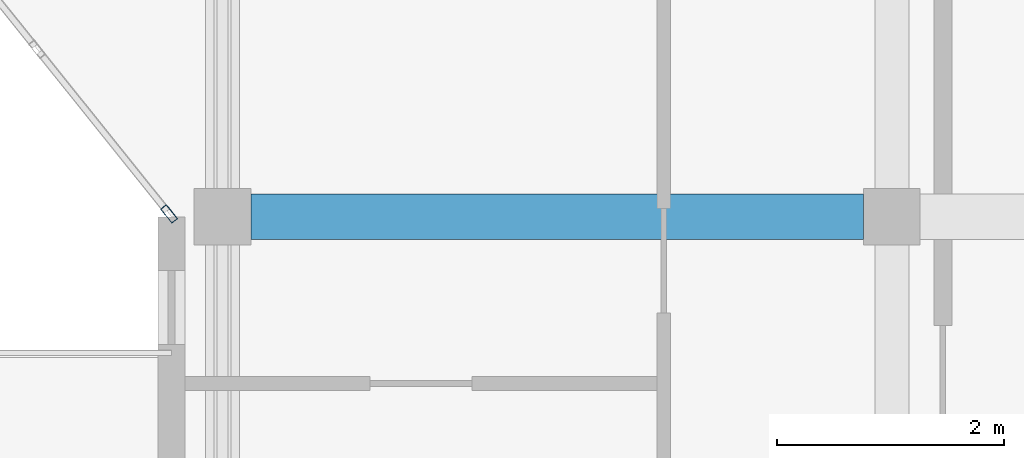
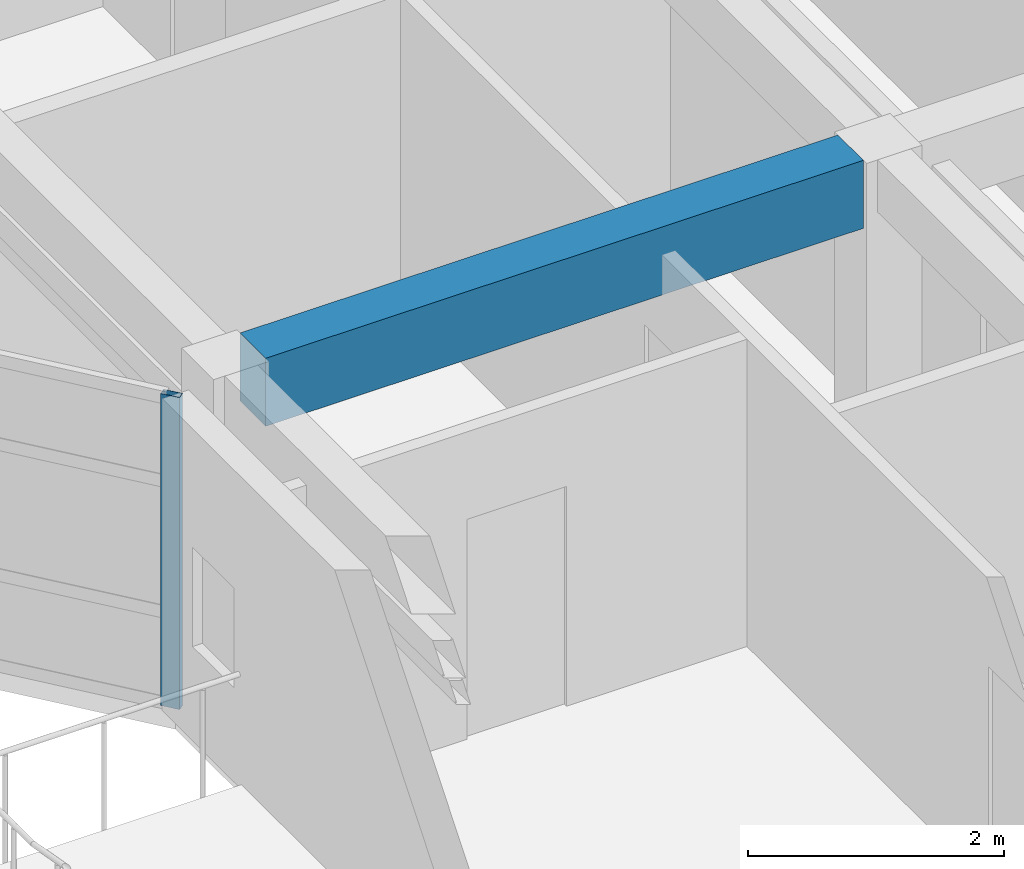
# One storey, part 15 of 39: 1 beam, 1 member, 1 element without a shape of its own.
"""IFC4 building model written with IfcOpenShell, lengths in metres."""

import ifcopenshell
import ifcopenshell.guid

model = None  # the IFC model being written
_history = None  # IfcOwnerHistory: only IFC2X3 demands one
_inside = {}  # id of a spatial element -> (the spatial element, [elements in it])
_under = {}  # id of a project, library or spatial element -> (it, [spatial elements below it])
_declared = {}  # id of a project -> (the project, [libraries it declares])
_typed = {}  # id of a type object -> (the type object, [elements of that type])
_made_of = {}  # id of a material, layer set ... -> (it, [elements and type objects made of it])


def new_model(schema):
    """Start an empty IFC model of exactly this schema.

    Asked for "IFC4X3", IfcOpenShell would pick the latest addendum, in which some entities
    have other attributes; the version numbers below select the first issue.
    IFC2X3 requires an IfcOwnerHistory on every rooted entity: one is made here for all.
    """
    global model, _history
    if schema == "IFC4X3":
        model = ifcopenshell.file(schema_version=(4, 3, 0, 0))
    else:
        model = ifcopenshell.file(schema=schema)
    _inside.clear()
    _under.clear()
    _declared.clear()
    _typed.clear()
    _made_of.clear()
    _history = None
    if model.schema == "IFC2X3":
        org = make("IfcOrganization", Name="unknown")
        user = make(
            "IfcPersonAndOrganization",
            ThePerson=make("IfcPerson", FamilyName="unknown"),
            TheOrganization=org,
        )
        app = make(
            "IfcApplication",
            ApplicationDeveloper=org,
            Version="unknown",
            ApplicationFullName="unknown",
            ApplicationIdentifier="unknown",
        )
        _history = make(
            "IfcOwnerHistory",
            OwningUser=user,
            OwningApplication=app,
            ChangeAction="ADDED",
            CreationDate=0,
        )
    return model


def make(cls, **values):
    """One entity of the class cls with the attributes given. An attribute that is None is left unset."""
    return model.create_entity(
        cls, **{name: value for name, value in values.items() if value is not None}
    )


def rooted(cls, **values):
    """An entity with a GlobalId (a new one), such as an element, a storey or a relation."""
    return make(cls, GlobalId=ifcopenshell.guid.new(), OwnerHistory=_history, **values)


def si_unit(unit_type, name, prefix=None):
    """IfcSIUnit, for example si_unit("LENGTHUNIT", "METRE", prefix="MILLI")."""
    return make("IfcSIUnit", UnitType=unit_type, Prefix=prefix, Name=name)


def assignment(units):
    """IfcUnitAssignment: the units of a project."""
    return None if units is None else make("IfcUnitAssignment", Units=units)


def point(xyz):
    """IfcCartesianPoint."""
    return None if xyz is None else make("IfcCartesianPoint", Coordinates=xyz)


def direction(xyz):
    """IfcDirection."""
    return None if xyz is None else make("IfcDirection", DirectionRatios=xyz)


def frame(location, z_axis=None, x_axis=None):
    """IfcAxis2Placement3D, a coordinate frame: its origin and axes. An axis left out is left unset."""
    return make(
        "IfcAxis2Placement3D",
        Location=point(location),
        Axis=direction(z_axis),
        RefDirection=direction(x_axis),
    )


def frame_2d(location, x_axis=None):
    """IfcAxis2Placement2D, a coordinate frame in the plane: its origin and x axis."""
    return make(
        "IfcAxis2Placement2D", Location=point(location), RefDirection=direction(x_axis)
    )


def origin():
    """The frame at (0, 0, 0) with its axes left unset."""
    return frame((0.0, 0.0, 0.0))


def origin_2d():
    """The frame at (0, 0) in the plane with its x axis left unset."""
    return frame_2d((0.0, 0.0))


def place(relative_to, where):
    """IfcLocalPlacement: puts the frame where relative to a parent placement (None: the world)."""
    return make(
        "IfcLocalPlacement", PlacementRelTo=relative_to, RelativePlacement=where
    )


def context(
    kind, dimensions, precision=None, world=None, true_north=None, identifier=None
):
    """IfcGeometricRepresentationContext, for example the 3D "Model" context."""
    return make(
        "IfcGeometricRepresentationContext",
        ContextIdentifier=identifier,
        ContextType=kind,
        CoordinateSpaceDimension=dimensions,
        Precision=precision,
        WorldCoordinateSystem=world,
        TrueNorth=true_north,
    )


def subcontext(parent, identifier, kind, view, scale=None):
    """IfcGeometricRepresentationSubContext, for example "Body" below "Model"."""
    return make(
        "IfcGeometricRepresentationSubContext",
        ContextIdentifier=identifier,
        ContextType=kind,
        ParentContext=parent,
        TargetScale=scale,
        TargetView=view,
    )


def project(units=None, contexts=None):
    """IfcProject with its units and contexts."""
    return rooted(
        "IfcProject",
        Name="project",
        RepresentationContexts=contexts,
        UnitsInContext=assignment(units),
    )


def spatial(cls, under=None, at=None, **own):
    """A site, building, storey or space (cls), placed at a placement, below another one or the project."""
    s = rooted(cls, ObjectPlacement=at, **own)
    if under is not None:
        _under.setdefault(under.id(), (under, []))[1].append(s)
    return s


def profile(cls, at=None, kind="AREA", **sizes):
    """A parametric profile (cls). Its sizes go by their IFC names, for example OverallWidth=200.0."""
    return make(cls, ProfileType=kind, Position=at, **sizes)


def rectangle(**sizes):
    """IfcRectangleProfileDef."""
    return profile("IfcRectangleProfileDef", **sizes)


def hollow_rectangle(**sizes):
    """IfcRectangleHollowProfileDef."""
    return profile("IfcRectangleHollowProfileDef", **sizes)


def extrude(swept, where, along, depth):
    """IfcExtrudedAreaSolid: the profile swept, set in the frame where, extruded along a direction by depth."""
    return make(
        "IfcExtrudedAreaSolid",
        SweptArea=swept,
        Position=where,
        ExtrudedDirection=direction(along),
        Depth=depth,
    )


def shape(context_of_items, identifier, shape_type, items):
    """IfcShapeRepresentation: the items that make up one representation, for example the "Body"."""
    return make(
        "IfcShapeRepresentation",
        ContextOfItems=context_of_items,
        RepresentationIdentifier=identifier,
        RepresentationType=shape_type,
        Items=items,
    )


def material(Name=None, Category=None):
    """IfcMaterial."""
    return make("IfcMaterial", Name=Name, Category=Category)


def layer(
    of_material, thickness, ventilated=None, Name=None, Category=None, Priority=None
):
    """IfcMaterialLayer: one layer of a wall or slab, of a material (None: an air gap)."""
    return make(
        "IfcMaterialLayer",
        Material=of_material,
        LayerThickness=thickness,
        IsVentilated=ventilated,
        Name=Name,
        Category=Category,
        Priority=Priority,
    )


def layer_set(layers, Name=None):
    """IfcMaterialLayerSet."""
    return make("IfcMaterialLayerSet", MaterialLayers=layers, LayerSetName=Name)


def material_profile(
    of_material, cross_section, Name=None, Category=None, Priority=None
):
    """IfcMaterialProfile: a cross section and its material."""
    return make(
        "IfcMaterialProfile",
        Name=Name,
        Material=of_material,
        Profile=cross_section,
        Priority=Priority,
        Category=Category,
    )


def profile_set(profiles, Name=None, composite=None):
    """IfcMaterialProfileSet."""
    return make(
        "IfcMaterialProfileSet",
        Name=Name,
        MaterialProfiles=profiles,
        CompositeProfile=composite,
    )


def made_of(thing, what):
    """Note that an element or type object is made of a material, layer set ...; save() writes the relation."""
    if what is not None:
        _made_of.setdefault(what.id(), (what, []))[1].append(thing)
    return thing


def type_object(cls, material=None, **own):
    """A type object (cls), such as IfcWallType, which elements share."""
    return made_of(rooted(cls, **own), material)


def element(
    cls,
    number,
    at=None,
    inside=None,
    cuts=None,
    type_object=None,
    material=None,
    context=None,
    identifier="Body",
    shape_type=None,
    held_by="IfcProductDefinitionShape",
    body=None,
    shapes=None,
    **own,
):
    """One element of the class cls, such as IfcWall. Its Tag is "e" and its number.

    at: its placement. inside: the storey or other place that contains it. cuts: it is an
    opening in that element (IfcRelVoidsElement). A single representation is given by context,
    identifier, shape_type and body (its items); several are given by shapes. held_by: the class
    of the entity that holds the representations. save() writes the other relations.
    """
    e = rooted(cls, Tag="e%d" % number, ObjectPlacement=at, **own)
    if body is not None:
        shapes = [shape(context, identifier, shape_type, body)]
    if shapes is not None:
        e.Representation = make(held_by, Representations=shapes)
    if inside is not None:
        _inside.setdefault(inside.id(), (inside, []))[1].append(e)
    if cuts is not None:
        rooted(
            "IfcRelVoidsElement", RelatingBuildingElement=cuts, RelatedOpeningElement=e
        )
    if type_object is not None:
        _typed.setdefault(type_object.id(), (type_object, []))[1].append(e)
    return made_of(e, material)


def aggregate(whole, parts):
    """IfcRelAggregates: a whole, such as a stair, and the parts it consists of."""
    return rooted("IfcRelAggregates", RelatingObject=whole, RelatedObjects=parts)


def save(model, path):
    """Write the relations noted so far, then the file.

    IfcRelAggregates (storeys below a building ...), IfcRelContainedInSpatialStructure (elements
    in a storey), IfcRelDefinesByType, IfcRelAssociatesMaterial and IfcRelDeclares: one each for
    every whole, place, type object, material and project.
    """
    for whole, parts in _under.values():
        aggregate(whole, parts)
    for where, things in _inside.values():
        rooted(
            "IfcRelContainedInSpatialStructure",
            RelatedElements=things,
            RelatingStructure=where,
        )
    for kind, things in _typed.values():
        rooted("IfcRelDefinesByType", RelatedObjects=things, RelatingType=kind)
    for what, things in _made_of.values():
        rooted("IfcRelAssociatesMaterial", RelatedObjects=things, RelatingMaterial=what)
    for by, libraries in _declared.values():
        rooted("IfcRelDeclares", RelatingContext=by, RelatedDefinitions=libraries)
    model.write(path)


model = new_model("IFC4")

# Units and contexts
model_context = context("Model", 3, precision=1e-05, world=origin(), true_north=direction((0.0, 1.0)))
body_context = subcontext(model_context, "Body", "Model", "MODEL_VIEW")
ifc_project = project(units=[si_unit("LENGTHUNIT", "METRE"), si_unit("AREAUNIT", "SQUARE_METRE"), si_unit("VOLUMEUNIT", "CUBIC_METRE"), si_unit("PLANEANGLEUNIT", "RADIAN"), si_unit("MASSUNIT", "GRAM", prefix="KILO")], contexts=[model_context])

# Site, building, storey
site_placement = place(None, origin())
site = spatial("IfcSite", under=ifc_project, at=site_placement, CompositionType="ELEMENT")
building_placement = place(site_placement, origin())
building = spatial("IfcBuilding", under=site, at=building_placement, Name="Keldmere Railside Commons", CompositionType="ELEMENT")
storey_placement = place(building_placement, frame((0.0, 0.0, 32.9599609375)))
storey = spatial("IfcBuildingStorey", under=building, at=storey_placement, Name="L10", CompositionType="ELEMENT", Elevation=32.9599609375)

# Beam
ifc_material_1 = material(Name="Concrete H-30 (C30/37)", Category="concrete")
ifc_material_profile_1 = material_profile(ifc_material_1, rectangle(XDim=0.39990234375, YDim=0.64990234375, at=origin_2d()), Name="RC-400x650")
ifc_profile_set_1 = profile_set([ifc_material_profile_1], Name="Concrete H-30 (C30/37)")
beam_type = type_object("IfcBeamType", Name="Residential Spine RC Girder 400x650", PredefinedType="BEAM", material=ifc_profile_set_1)
beam_placement = place(storey_placement, frame((168.699951171875, 88.0, 2.875), z_axis=(1.0, 0.0, 0.0), x_axis=(0.0, 1.0, 0.0)))
element("IfcBeam", 1, at=beam_placement, inside=storey, type_object=beam_type, Name="BG-3 BM-L10-2377", PredefinedType="BEAM", context=body_context, shape_type="SweptSolid", body=[
    extrude(rectangle(XDim=0.39990234375, YDim=0.64990234375, at=origin_2d()), origin(), (0.0, 0.0, 1.0), 5.400146484375),
])

# Curtain wall, member
ifc_material_2 = material(Name="Thermally Broken Aluminium", Category="aluminium")
ifc_layer = layer(ifc_material_2, 0.159912109375, Name="Court Chord Wintergarden CW 5400x2850")
ifc_layer_set = layer_set([ifc_layer], Name="Thermally Broken Aluminium")
curtain_wall_type = type_object("IfcCurtainWallType", Name="Court Chord Wintergarden CW 5400x2850", PredefinedType="NOTDEFINED", material=ifc_layer_set)
curtain_wall_placement = place(storey_placement, origin())
curtain_wall = element("IfcCurtainWall", 2, at=curtain_wall_placement, inside=storey, type_object=curtain_wall_type, Name="CW-13 CW-L10-189", PredefinedType="NOTDEFINED")
ifc_material_profile_2 = material_profile(ifc_material_2, hollow_rectangle(XDim=0.06494140625, YDim=0.159912109375, WallThickness=0.00390625, at=origin_2d()), Name="ALU-MULL-65x160")
ifc_profile_set_2 = profile_set([ifc_material_profile_2], Name="Thermally Broken Aluminium")
member_type = type_object("IfcMemberType", Name="Unitised Curtain Wall Mullion 65x160", PredefinedType="MULLION", material=ifc_profile_set_2)
member_placement = place(storey_placement, frame((167.979736328125, 88.025390625, 0.0), z_axis=(0.0, 0.0, 1.0), x_axis=(-0.780009172323, -0.625768080915, 0.0)))
member = element("IfcMember", 3, at=member_placement, type_object=member_type, Name="CW-13 mullion 1", PredefinedType="MULLION", context=body_context, shape_type="SweptSolid", body=[
    extrude(hollow_rectangle(XDim=0.06494140625, YDim=0.159912109375, WallThickness=0.00390625, at=origin_2d()), origin(), (0.0, 0.0, 1.0), 2.97998046875),
])
aggregate(curtain_wall, [member])

save(model, "model.ifc")
